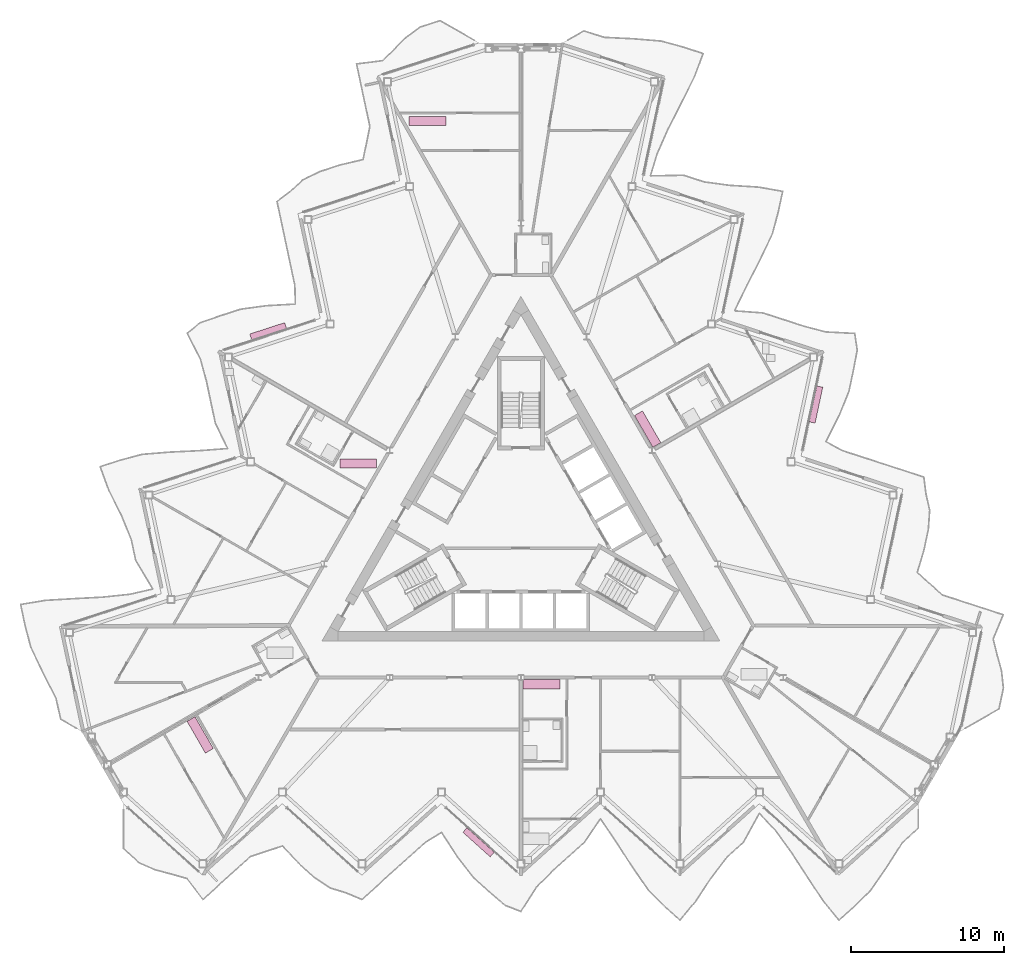
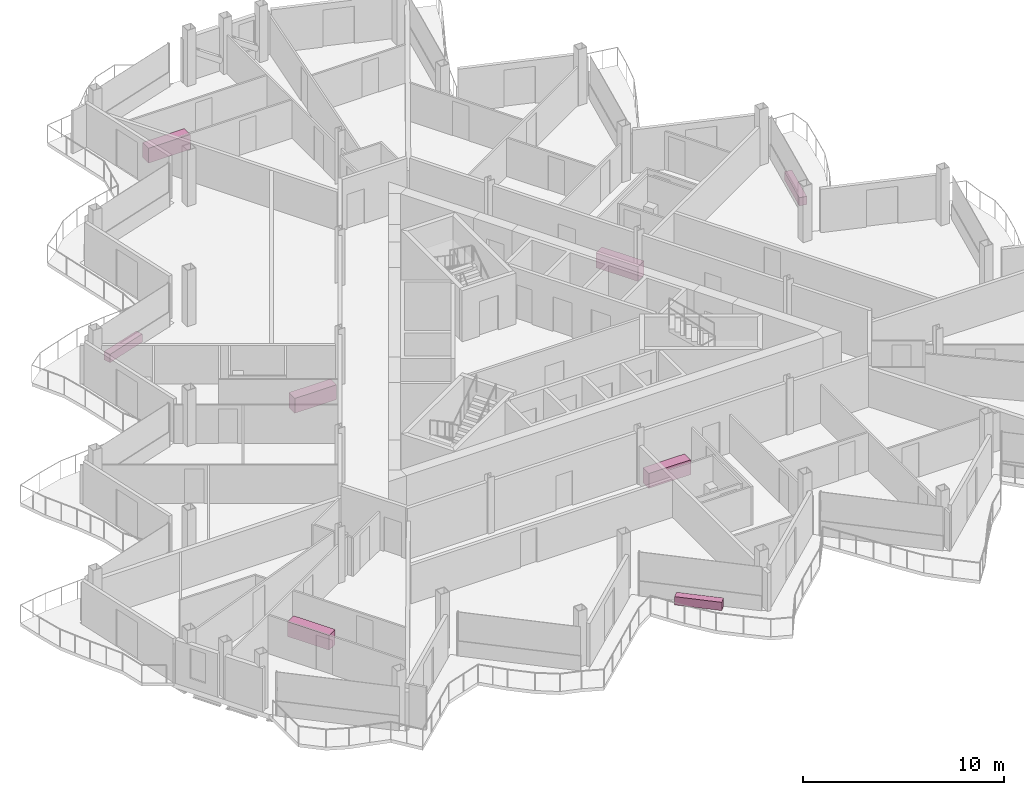
# One storey, part 26 of 26: 8 furniture elements.
"""IFC4 building model written with IfcOpenShell, lengths in metres."""

from ifc_helpers import new_model, si_unit, direction, frame, origin, origin_2d, place, context, subcontext, project, spatial, rectangle, extrude, material, type_object, element, save


model = new_model("IFC4")

# Units and contexts
model_context = context("Model", 3, precision=1e-05, world=origin(), true_north=direction((0.0, 1.0)))
body_context = subcontext(model_context, "Body", "Model", "MODEL_VIEW")
ifc_project = project(units=[si_unit("LENGTHUNIT", "METRE"), si_unit("AREAUNIT", "SQUARE_METRE"), si_unit("VOLUMEUNIT", "CUBIC_METRE"), si_unit("PLANEANGLEUNIT", "RADIAN"), si_unit("MASSUNIT", "GRAM", prefix="KILO")], contexts=[model_context])

# Site, building, storey
site_placement = place(None, origin())
site = spatial("IfcSite", under=ifc_project, at=site_placement, CompositionType="ELEMENT")
building_placement = place(site_placement, origin())
building = spatial("IfcBuilding", under=site, at=building_placement, Name="Cormorant Prow Tower", CompositionType="ELEMENT")
storey_placement = place(building_placement, frame((0.0, 0.0, 364.39990234375)))
storey = spatial("IfcBuildingStorey", under=building, at=storey_placement, Name="L81", CompositionType="ELEMENT", Elevation=364.39990234375)

# Furniture
ifc_material_1 = material(Name="Terracotta", Category="masonry")
furniture_type_1 = type_object("IfcFurnitureType", Name="Balcony planter 2400x400x500", AssemblyPlace="NOTDEFINED", PredefinedType="USERDEFINED", material=ifc_material_1)
for number, where, z_axis, x_axis, name in (
    (1, (-2.767333984375, -20.68408203125, 0.0), (0.0, 0.0, 1.0), (0.743144756574, -0.669130682884, 0.0), "Balcony planter S04"),
    (2, (19.296630859375, 7.945556640625, 0.0), (0.0, 0.0, 1.0), (0.207911756835, 0.978147586701, 0.0), "Balcony planter ENE04"),
    (3, (-16.529296875, 12.738525390625, 0.0), (0.0, 0.0, 1.0), (-0.951056548553, -0.309016895096, 0.0), "Balcony planter WNW04"),
):
    element("IfcFurniture", number, at=place(storey_placement, frame(where, z_axis=z_axis, x_axis=x_axis)), inside=storey, type_object=furniture_type_1, Name=name, ObjectType="PLANTER", PredefinedType="USERDEFINED", context=body_context, shape_type="SweptSolid", body=[
        extrude(rectangle(XDim=2.39990234375, YDim=0.39990234375, at=origin_2d()), origin(), (0.0, 0.0, 1.0), 0.5),
    ])
ifc_material_2 = material(Name="Timber joinery", Category="wood")
furniture_type_2 = type_object("IfcFurnitureType", Name="Kitchen counter 2400x600", AssemblyPlace="NOTDEFINED", PredefinedType="NOTDEFINED", material=ifc_material_2)
for number, where, z_axis, x_axis, name in (
    (4, (1.344970703125, -10.3505859375, 0.000244140625), (0.0, 0.0, 1.0), (1.0, 0.0, 0.0), "Kitchen counter"),
    (5, (8.291259765625, 6.340087890625, 0.000244140625), (0.0, 0.0, 1.0), (-0.5, 0.866025403784, 0.0), "Kitchen counter"),
    (6, (-6.108642578125, 26.494384765625, 0.000244140625), (0.0, 0.0, 1.0), (1.0, 0.0, 0.0), "Kitchen counter"),
    (7, (-10.644775390625, 4.08447265625, 0.000244140625), (0.0, 0.0, 1.0), (1.0, 0.0, 0.0), "Kitchen counter"),
    (8, (-20.973388671875, -13.662109375, 0.000244140625), (0.0, 0.0, 1.0), (0.5, -0.866025403784, 0.0), "Kitchen counter"),
):
    element("IfcFurniture", number, at=place(storey_placement, frame(where, z_axis=z_axis, x_axis=x_axis)), inside=storey, type_object=furniture_type_2, Name=name, PredefinedType="NOTDEFINED", context=body_context, shape_type="SweptSolid", body=[
        extrude(rectangle(XDim=2.39990234375, YDim=0.60009765625, at=origin_2d()), origin(), (0.0, 0.0, 1.0), 0.89990234375),
    ])

save(model, "model.ifc")
